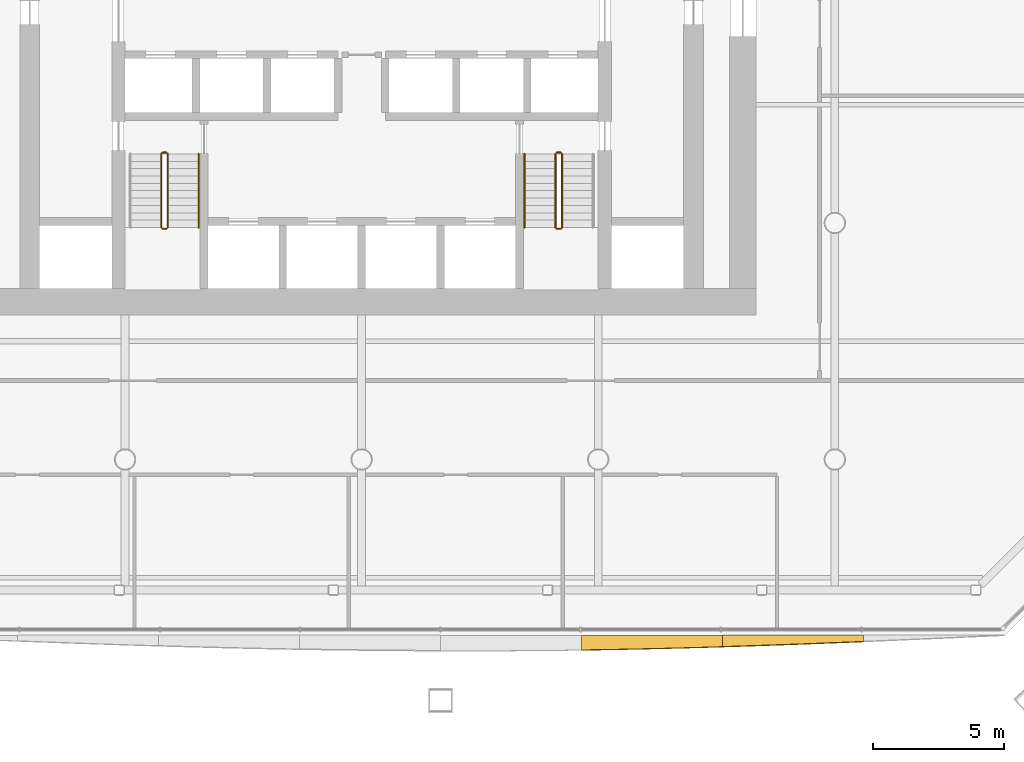
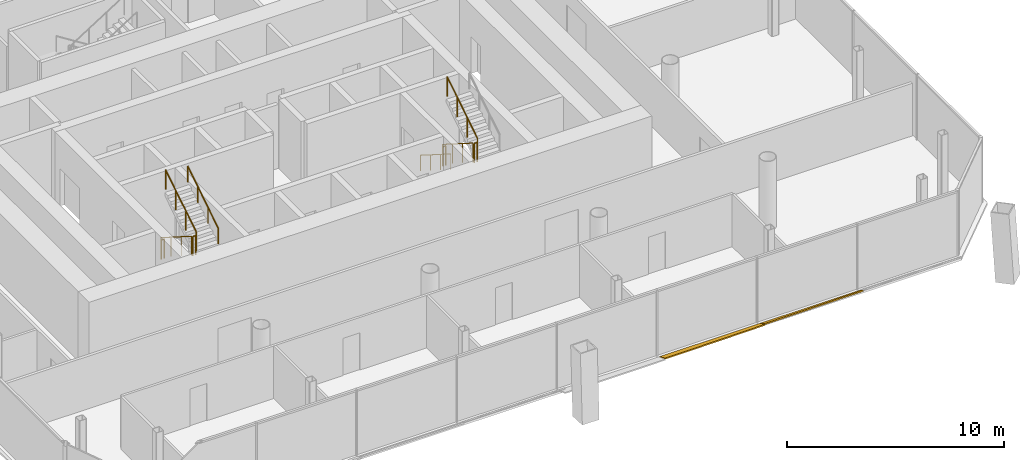
# One storey, part 16 of 19: 10 railings, 2 shading devices.
"""IFC4 building model written with IfcOpenShell, lengths in metres."""

import ifcopenshell
import ifcopenshell.guid

model = None  # the IFC model being written
_history = None  # IfcOwnerHistory: only IFC2X3 demands one
_inside = {}  # id of a spatial element -> (the spatial element, [elements in it])
_under = {}  # id of a project, library or spatial element -> (it, [spatial elements below it])
_declared = {}  # id of a project -> (the project, [libraries it declares])
_typed = {}  # id of a type object -> (the type object, [elements of that type])
_made_of = {}  # id of a material, layer set ... -> (it, [elements and type objects made of it])


def new_model(schema):
    """Start an empty IFC model of exactly this schema.

    Asked for "IFC4X3", IfcOpenShell would pick the latest addendum, in which some entities
    have other attributes; the version numbers below select the first issue.
    IFC2X3 requires an IfcOwnerHistory on every rooted entity: one is made here for all.
    """
    global model, _history
    if schema == "IFC4X3":
        model = ifcopenshell.file(schema_version=(4, 3, 0, 0))
    else:
        model = ifcopenshell.file(schema=schema)
    _inside.clear()
    _under.clear()
    _declared.clear()
    _typed.clear()
    _made_of.clear()
    _history = None
    if model.schema == "IFC2X3":
        org = make("IfcOrganization", Name="unknown")
        user = make(
            "IfcPersonAndOrganization",
            ThePerson=make("IfcPerson", FamilyName="unknown"),
            TheOrganization=org,
        )
        app = make(
            "IfcApplication",
            ApplicationDeveloper=org,
            Version="unknown",
            ApplicationFullName="unknown",
            ApplicationIdentifier="unknown",
        )
        _history = make(
            "IfcOwnerHistory",
            OwningUser=user,
            OwningApplication=app,
            ChangeAction="ADDED",
            CreationDate=0,
        )
    return model


def make(cls, **values):
    """One entity of the class cls with the attributes given. An attribute that is None is left unset."""
    return model.create_entity(
        cls, **{name: value for name, value in values.items() if value is not None}
    )


def rooted(cls, **values):
    """An entity with a GlobalId (a new one), such as an element, a storey or a relation."""
    return make(cls, GlobalId=ifcopenshell.guid.new(), OwnerHistory=_history, **values)


def si_unit(unit_type, name, prefix=None):
    """IfcSIUnit, for example si_unit("LENGTHUNIT", "METRE", prefix="MILLI")."""
    return make("IfcSIUnit", UnitType=unit_type, Prefix=prefix, Name=name)


def assignment(units):
    """IfcUnitAssignment: the units of a project."""
    return None if units is None else make("IfcUnitAssignment", Units=units)


def point(xyz):
    """IfcCartesianPoint."""
    return None if xyz is None else make("IfcCartesianPoint", Coordinates=xyz)


def direction(xyz):
    """IfcDirection."""
    return None if xyz is None else make("IfcDirection", DirectionRatios=xyz)


def frame(location, z_axis=None, x_axis=None):
    """IfcAxis2Placement3D, a coordinate frame: its origin and axes. An axis left out is left unset."""
    return make(
        "IfcAxis2Placement3D",
        Location=point(location),
        Axis=direction(z_axis),
        RefDirection=direction(x_axis),
    )


def frame_2d(location, x_axis=None):
    """IfcAxis2Placement2D, a coordinate frame in the plane: its origin and x axis."""
    return make(
        "IfcAxis2Placement2D", Location=point(location), RefDirection=direction(x_axis)
    )


def origin():
    """The frame at (0, 0, 0) with its axes left unset."""
    return frame((0.0, 0.0, 0.0))


def origin_2d():
    """The frame at (0, 0) in the plane with its x axis left unset."""
    return frame_2d((0.0, 0.0))


def place(relative_to, where):
    """IfcLocalPlacement: puts the frame where relative to a parent placement (None: the world)."""
    return make(
        "IfcLocalPlacement", PlacementRelTo=relative_to, RelativePlacement=where
    )


def context(
    kind, dimensions, precision=None, world=None, true_north=None, identifier=None
):
    """IfcGeometricRepresentationContext, for example the 3D "Model" context."""
    return make(
        "IfcGeometricRepresentationContext",
        ContextIdentifier=identifier,
        ContextType=kind,
        CoordinateSpaceDimension=dimensions,
        Precision=precision,
        WorldCoordinateSystem=world,
        TrueNorth=true_north,
    )


def subcontext(parent, identifier, kind, view, scale=None):
    """IfcGeometricRepresentationSubContext, for example "Body" below "Model"."""
    return make(
        "IfcGeometricRepresentationSubContext",
        ContextIdentifier=identifier,
        ContextType=kind,
        ParentContext=parent,
        TargetScale=scale,
        TargetView=view,
    )


def project(units=None, contexts=None):
    """IfcProject with its units and contexts."""
    return rooted(
        "IfcProject",
        Name="project",
        RepresentationContexts=contexts,
        UnitsInContext=assignment(units),
    )


def spatial(cls, under=None, at=None, **own):
    """A site, building, storey or space (cls), placed at a placement, below another one or the project."""
    s = rooted(cls, ObjectPlacement=at, **own)
    if under is not None:
        _under.setdefault(under.id(), (under, []))[1].append(s)
    return s


def polyline(points):
    """IfcPolyline through the points."""
    return make("IfcPolyline", Points=[point(p) for p in points])


def profile(cls, at=None, kind="AREA", **sizes):
    """A parametric profile (cls). Its sizes go by their IFC names, for example OverallWidth=200.0."""
    return make(cls, ProfileType=kind, Position=at, **sizes)


def circle(**sizes):
    """IfcCircleProfileDef."""
    return profile("IfcCircleProfileDef", **sizes)


def outline(outer, holes=None, kind="AREA"):
    """IfcArbitraryClosedProfileDef: a profile drawn as a closed curve; with holes, ...WithVoids."""
    if holes is None:
        return make("IfcArbitraryClosedProfileDef", ProfileType=kind, OuterCurve=outer)
    return make(
        "IfcArbitraryProfileDefWithVoids",
        ProfileType=kind,
        OuterCurve=outer,
        InnerCurves=holes,
    )


def extrude(swept, where, along, depth):
    """IfcExtrudedAreaSolid: the profile swept, set in the frame where, extruded along a direction by depth."""
    return make(
        "IfcExtrudedAreaSolid",
        SweptArea=swept,
        Position=where,
        ExtrudedDirection=direction(along),
        Depth=depth,
    )


def shape(context_of_items, identifier, shape_type, items):
    """IfcShapeRepresentation: the items that make up one representation, for example the "Body"."""
    return make(
        "IfcShapeRepresentation",
        ContextOfItems=context_of_items,
        RepresentationIdentifier=identifier,
        RepresentationType=shape_type,
        Items=items,
    )


def material(Name=None, Category=None):
    """IfcMaterial."""
    return make("IfcMaterial", Name=Name, Category=Category)


def layer(
    of_material, thickness, ventilated=None, Name=None, Category=None, Priority=None
):
    """IfcMaterialLayer: one layer of a wall or slab, of a material (None: an air gap)."""
    return make(
        "IfcMaterialLayer",
        Material=of_material,
        LayerThickness=thickness,
        IsVentilated=ventilated,
        Name=Name,
        Category=Category,
        Priority=Priority,
    )


def layer_set(layers, Name=None):
    """IfcMaterialLayerSet."""
    return make("IfcMaterialLayerSet", MaterialLayers=layers, LayerSetName=Name)


def made_of(thing, what):
    """Note that an element or type object is made of a material, layer set ...; save() writes the relation."""
    if what is not None:
        _made_of.setdefault(what.id(), (what, []))[1].append(thing)
    return thing


def type_object(cls, material=None, **own):
    """A type object (cls), such as IfcWallType, which elements share."""
    return made_of(rooted(cls, **own), material)


def element(
    cls,
    number,
    at=None,
    inside=None,
    cuts=None,
    type_object=None,
    material=None,
    context=None,
    identifier="Body",
    shape_type=None,
    held_by="IfcProductDefinitionShape",
    body=None,
    shapes=None,
    **own,
):
    """One element of the class cls, such as IfcWall. Its Tag is "e" and its number.

    at: its placement. inside: the storey or other place that contains it. cuts: it is an
    opening in that element (IfcRelVoidsElement). A single representation is given by context,
    identifier, shape_type and body (its items); several are given by shapes. held_by: the class
    of the entity that holds the representations. save() writes the other relations.
    """
    e = rooted(cls, Tag="e%d" % number, ObjectPlacement=at, **own)
    if body is not None:
        shapes = [shape(context, identifier, shape_type, body)]
    if shapes is not None:
        e.Representation = make(held_by, Representations=shapes)
    if inside is not None:
        _inside.setdefault(inside.id(), (inside, []))[1].append(e)
    if cuts is not None:
        rooted(
            "IfcRelVoidsElement", RelatingBuildingElement=cuts, RelatedOpeningElement=e
        )
    if type_object is not None:
        _typed.setdefault(type_object.id(), (type_object, []))[1].append(e)
    return made_of(e, material)


def aggregate(whole, parts):
    """IfcRelAggregates: a whole, such as a stair, and the parts it consists of."""
    return rooted("IfcRelAggregates", RelatingObject=whole, RelatedObjects=parts)


def save(model, path):
    """Write the relations noted so far, then the file.

    IfcRelAggregates (storeys below a building ...), IfcRelContainedInSpatialStructure (elements
    in a storey), IfcRelDefinesByType, IfcRelAssociatesMaterial and IfcRelDeclares: one each for
    every whole, place, type object, material and project.
    """
    for whole, parts in _under.values():
        aggregate(whole, parts)
    for where, things in _inside.values():
        rooted(
            "IfcRelContainedInSpatialStructure",
            RelatedElements=things,
            RelatingStructure=where,
        )
    for kind, things in _typed.values():
        rooted("IfcRelDefinesByType", RelatedObjects=things, RelatingType=kind)
    for what, things in _made_of.values():
        rooted("IfcRelAssociatesMaterial", RelatedObjects=things, RelatingMaterial=what)
    for by, libraries in _declared.values():
        rooted("IfcRelDeclares", RelatingContext=by, RelatedDefinitions=libraries)
    model.write(path)


model = new_model("IFC4")

# Units and contexts
model_context = context("Model", 3, precision=1e-05, world=origin(), true_north=direction((0.0, 1.0)))
body_context = subcontext(model_context, "Body", "Model", "MODEL_VIEW")
ifc_project = project(units=[si_unit("LENGTHUNIT", "METRE"), si_unit("AREAUNIT", "SQUARE_METRE"), si_unit("VOLUMEUNIT", "CUBIC_METRE"), si_unit("PLANEANGLEUNIT", "RADIAN"), si_unit("MASSUNIT", "GRAM", prefix="KILO")], contexts=[model_context])

# Site, building, storey
site_placement = place(None, origin())
site = spatial("IfcSite", under=ifc_project, at=site_placement, CompositionType="ELEMENT")
building_placement = place(site_placement, origin())
building = spatial("IfcBuilding", under=site, at=building_placement, Name="Tskaro Facet Tower", CompositionType="ELEMENT")
storey_placement = place(building_placement, frame((0.0, 0.0, 93.300048828125)))
storey = spatial("IfcBuildingStorey", under=building, at=storey_placement, Name="L22", CompositionType="ELEMENT", Elevation=93.300048828125)

# Shading devices
ifc_material_1 = material(Name="Bronze anodised aluminium 6063-T6", Category="aluminium")
ifc_layer = layer(ifc_material_1, 0.06005859375, Name="Bronze anodised aluminium 6063-T6")
ifc_layer_set = layer_set([ifc_layer], Name="Bronze anodised aluminium 6063-T6")
shading_device_type = type_object("IfcShadingDeviceType", Name="Bronze sun blade (FN1)", PredefinedType="USERDEFINED", material=ifc_layer_set)
shading_device_1_placement = place(storey_placement, frame((8.363037109375, -24.687744140625, 0.054443359375), z_axis=(1.1549006e-05, 0.422550639634, 0.906339316598), x_axis=(0.999999999933, -4.88004e-06, -1.0467318e-05)))
element("IfcShadingDevice", 1, at=shading_device_1_placement, inside=storey, type_object=shading_device_type, Name="Fin blade south 6", ObjectType="FIN", PredefinedType="USERDEFINED", context=body_context, shape_type="SweptSolid", body=[
    extrude(outline(polyline([(0.0, 0.0), (5.36303710901734, 0.0), (5.363037109883437, -0.475672463296135), (4.6926269530739315, -0.49751582485778173), (4.022216796609759, -0.5182677658759816), (3.351806641854997, -0.5376038503262421), (2.681396485062736, -0.5554059657385937), (2.01098632742439, -0.5718953863602672), (1.3408203109290249, -0.5867476761667703), (0.6704101555180886, -0.6001841094053342), (-5.662668803923526e-10, -0.6117621375814966), (0.0, 0.0)])), origin(), (0.0, 0.0, -1.0), 0.06005859375),
])
shading_device_2_placement = place(storey_placement, frame((13.72607421875, -24.68310546875, 0.052001953125), z_axis=(-1.2308011e-05, 0.499938029124, 0.866061179643), x_axis=(0.999999999924, 6.153243e-06, 1.0659491e-05)))
element("IfcShadingDevice", 2, at=shading_device_2_placement, inside=storey, type_object=shading_device_type, Name="Fin blade south 7", ObjectType="FIN", PredefinedType="USERDEFINED", context=body_context, shape_type="SweptSolid", body=[
    extrude(outline(polyline([(0.0, 0.0), (5.3630371089687845, 0.0), (5.363037109238305, -0.2714800928401123), (4.69262695244105, -0.3033064808290186), (4.022216796447991, -0.33404299558131434), (3.351806639756873, -0.3639010778147017), (2.6813964849701106, -0.3930027827120816), (2.0109863283851297, -0.42089255918995006), (1.3405761726043455, -0.44769246243120786), (0.6704101556503248, -0.47328043725295427), (-1.1244803997319455e-09, -0.49777853883809003), (0.0, 0.0)])), origin(), (0.0, 0.0, -1.0), 0.06005859375),
])

# Railings
ifc_material_2 = material(Name="Stainless steel", Category="steel")
railing_type_1 = type_object("IfcRailingType", Name="RL-GUARD-1100", PredefinedType="GUARDRAIL", material=ifc_material_2)
railing_1_placement = place(storey_placement, frame((-7.625, -6.375, 0.17724609375)))
element("IfcRailing", 3, at=railing_1_placement, inside=storey, type_object=railing_type_1, Name="L22 ST-1 stair guard 1", PredefinedType="GUARDRAIL", context=body_context, shape_type="SweptSolid", body=[
    extrude(circle(Radius=0.02392578125, at=origin_2d()), frame((0.0, 0.0, 1.076171875), z_axis=(0.0, -0.844908973607, 0.534910110503), x_axis=(1.0, 0.0, 0.0)), (0.0, 0.0, 1.0), 3.31396484375),
    extrude(circle(Radius=0.02099609375, at=origin_2d()), origin(), (0.0, 0.0, 1.0), 1.052001953125),
    extrude(circle(Radius=0.02099609375, at=origin_2d()), frame((0.0, -0.933349609375, 0.5908203125)), (0.0, 0.0, 1.0), 1.052001953125),
    extrude(circle(Radius=0.02099609375, at=origin_2d()), frame((0.0, -1.86669921875, 1.181884765625)), (0.0, 0.0, 1.0), 1.052001953125),
    extrude(circle(Radius=0.02099609375, at=origin_2d()), frame((0.0, -2.800048828125, 1.772705078125)), (0.0, 0.0, 1.0), 1.052001953125),
])
railing_2_placement = place(storey_placement, frame((-7.574951171875, -9.22509765625, 1.949951171875)))
element("IfcRailing", 4, at=railing_2_placement, inside=storey, type_object=railing_type_1, Name="L22 ST-1 stair guard 2", PredefinedType="GUARDRAIL", context=body_context, shape_type="SweptSolid", body=[
    extrude(circle(Radius=0.02392578125, at=origin_2d()), frame((0.0, 0.0, 1.076171875), z_axis=(1.0, 0.0, 0.0), x_axis=(0.0, 1.0, 0.0)), (0.0, 0.0, 1.0), 0.14990234375),
    extrude(circle(Radius=0.02099609375, at=origin_2d()), origin(), (0.0, 0.0, 1.0), 1.052001953125),
    extrude(circle(Radius=0.02099609375, at=origin_2d()), frame((0.14990234375, 0.0, 0.0)), (0.0, 0.0, 1.0), 1.052001953125),
])
railing_3_placement = place(storey_placement, frame((-7.375, -9.175048828125, 2.127197265625)))
element("IfcRailing", 5, at=railing_3_placement, inside=storey, type_object=railing_type_1, Name="L22 ST-1 stair guard 3", PredefinedType="GUARDRAIL", context=body_context, shape_type="SweptSolid", body=[
    extrude(circle(Radius=0.02392578125, at=origin_2d()), frame((0.0, 0.0, 1.076171875), z_axis=(0.0, 0.844908973607, 0.534910110503), x_axis=(-1.0, 0.0, 0.0)), (0.0, 0.0, 1.0), 3.31396484375),
    extrude(circle(Radius=0.02099609375, at=origin_2d()), origin(), (0.0, 0.0, 1.0), 1.052001953125),
    extrude(circle(Radius=0.02099609375, at=origin_2d()), frame((0.0, 0.933349609375, 0.5908203125)), (0.0, 0.0, 1.0), 1.052001953125),
    extrude(circle(Radius=0.02099609375, at=origin_2d()), frame((0.0, 1.86669921875, 1.181884765625)), (0.0, 0.0, 1.0), 1.052001953125),
    extrude(circle(Radius=0.02099609375, at=origin_2d()), frame((0.0, 2.800048828125, 1.772705078125)), (0.0, 0.0, 1.0), 1.052001953125),
])
railing_4_placement = place(storey_placement, frame((-7.574951171875, -6.324951171875, 0.0)))
element("IfcRailing", 6, at=railing_4_placement, inside=storey, type_object=railing_type_1, Name="L22 ST-1 stair guard 4", PredefinedType="GUARDRAIL", context=body_context, shape_type="SweptSolid", body=[
    extrude(circle(Radius=0.02392578125, at=origin_2d()), frame((0.0, 0.0, 1.076171875), z_axis=(1.0, 0.0, 0.0), x_axis=(0.0, 1.0, 0.0)), (0.0, 0.0, 1.0), 0.14990234375),
    extrude(circle(Radius=0.02099609375, at=origin_2d()), origin(), (0.0, 0.0, 1.0), 1.052001953125),
    extrude(circle(Radius=0.02099609375, at=origin_2d()), frame((0.14990234375, 0.0, 0.0)), (0.0, 0.0, 1.0), 1.052001953125),
])
railing_5_placement = place(storey_placement, frame((7.375, -6.375, 0.17724609375)))
element("IfcRailing", 7, at=railing_5_placement, inside=storey, type_object=railing_type_1, Name="L22 ST-2 stair guard 1", PredefinedType="GUARDRAIL", context=body_context, shape_type="SweptSolid", body=[
    extrude(circle(Radius=0.02392578125, at=origin_2d()), frame((0.0, 0.0, 1.076171875), z_axis=(0.0, -0.844908973607, 0.534910110503), x_axis=(1.0, 0.0, 0.0)), (0.0, 0.0, 1.0), 3.31396484375),
    extrude(circle(Radius=0.02099609375, at=origin_2d()), origin(), (0.0, 0.0, 1.0), 1.052001953125),
    extrude(circle(Radius=0.02099609375, at=origin_2d()), frame((0.0, -0.933349609375, 0.5908203125)), (0.0, 0.0, 1.0), 1.052001953125),
    extrude(circle(Radius=0.02099609375, at=origin_2d()), frame((0.0, -1.86669921875, 1.181884765625)), (0.0, 0.0, 1.0), 1.052001953125),
    extrude(circle(Radius=0.02099609375, at=origin_2d()), frame((0.0, -2.800048828125, 1.772705078125)), (0.0, 0.0, 1.0), 1.052001953125),
])
railing_6_placement = place(storey_placement, frame((7.425048828125, -9.22509765625, 1.949951171875)))
element("IfcRailing", 8, at=railing_6_placement, inside=storey, type_object=railing_type_1, Name="L22 ST-2 stair guard 2", PredefinedType="GUARDRAIL", context=body_context, shape_type="SweptSolid", body=[
    extrude(circle(Radius=0.02392578125, at=origin_2d()), frame((0.0, 0.0, 1.076171875), z_axis=(1.0, 0.0, 0.0), x_axis=(0.0, 1.0, 0.0)), (0.0, 0.0, 1.0), 0.14990234375),
    extrude(circle(Radius=0.02099609375, at=origin_2d()), origin(), (0.0, 0.0, 1.0), 1.052001953125),
    extrude(circle(Radius=0.02099609375, at=origin_2d()), frame((0.14990234375, 0.0, 0.0)), (0.0, 0.0, 1.0), 1.052001953125),
])
railing_7_placement = place(storey_placement, frame((7.625, -9.175048828125, 2.127197265625)))
element("IfcRailing", 9, at=railing_7_placement, inside=storey, type_object=railing_type_1, Name="L22 ST-2 stair guard 3", PredefinedType="GUARDRAIL", context=body_context, shape_type="SweptSolid", body=[
    extrude(circle(Radius=0.02392578125, at=origin_2d()), frame((0.0, 0.0, 1.076171875), z_axis=(0.0, 0.844908973607, 0.534910110503), x_axis=(-1.0, 0.0, 0.0)), (0.0, 0.0, 1.0), 3.31396484375),
    extrude(circle(Radius=0.02099609375, at=origin_2d()), origin(), (0.0, 0.0, 1.0), 1.052001953125),
    extrude(circle(Radius=0.02099609375, at=origin_2d()), frame((0.0, 0.933349609375, 0.5908203125)), (0.0, 0.0, 1.0), 1.052001953125),
    extrude(circle(Radius=0.02099609375, at=origin_2d()), frame((0.0, 1.86669921875, 1.181884765625)), (0.0, 0.0, 1.0), 1.052001953125),
    extrude(circle(Radius=0.02099609375, at=origin_2d()), frame((0.0, 2.800048828125, 1.772705078125)), (0.0, 0.0, 1.0), 1.052001953125),
])
railing_8_placement = place(storey_placement, frame((7.425048828125, -6.324951171875, 0.0)))
element("IfcRailing", 10, at=railing_8_placement, inside=storey, type_object=railing_type_1, Name="L22 ST-2 stair guard 4", PredefinedType="GUARDRAIL", context=body_context, shape_type="SweptSolid", body=[
    extrude(circle(Radius=0.02392578125, at=origin_2d()), frame((0.0, 0.0, 1.076171875), z_axis=(1.0, 0.0, 0.0), x_axis=(0.0, 1.0, 0.0)), (0.0, 0.0, 1.0), 0.14990234375),
    extrude(circle(Radius=0.02099609375, at=origin_2d()), origin(), (0.0, 0.0, 1.0), 1.052001953125),
    extrude(circle(Radius=0.02099609375, at=origin_2d()), frame((0.14990234375, 0.0, 0.0)), (0.0, 0.0, 1.0), 1.052001953125),
])
railing_type_2 = type_object("IfcRailingType", Name="RL-HANDRAIL-900", PredefinedType="HANDRAIL", material=ifc_material_2)
railing_9_placement = place(storey_placement, frame((-6.199951171875, -9.175048828125, 2.127197265625)))
element("IfcRailing", 11, at=railing_9_placement, inside=storey, type_object=railing_type_2, Name="L22 ST-1 stair handrail 2", PredefinedType="HANDRAIL", context=body_context, shape_type="SweptSolid", body=[
    extrude(circle(Radius=0.02392578125, at=origin_2d()), frame((0.0, 0.0, 0.8759765625), z_axis=(0.0, 0.844908973607, 0.534910110503), x_axis=(-1.0, 0.0, 0.0)), (0.0, 0.0, 1.0), 3.31396484375),
    extrude(circle(Radius=0.02099609375, at=origin_2d()), origin(), (0.0, 0.0, 1.0), 0.851806640625),
    extrude(circle(Radius=0.02099609375, at=origin_2d()), frame((0.0, 0.933349609375, 0.5908203125)), (0.0, 0.0, 1.0), 0.851806640625),
    extrude(circle(Radius=0.02099609375, at=origin_2d()), frame((0.0, 1.86669921875, 1.181884765625)), (0.0, 0.0, 1.0), 0.851806640625),
    extrude(circle(Radius=0.02099609375, at=origin_2d()), frame((0.0, 2.800048828125, 1.772705078125)), (0.0, 0.0, 1.0), 0.851806640625),
])
railing_10_placement = place(storey_placement, frame((6.199951171875, -6.375, 0.17724609375)))
element("IfcRailing", 12, at=railing_10_placement, inside=storey, type_object=railing_type_2, Name="L22 ST-2 stair handrail 1", PredefinedType="HANDRAIL", context=body_context, shape_type="SweptSolid", body=[
    extrude(circle(Radius=0.02392578125, at=origin_2d()), frame((0.0, 0.0, 0.8759765625), z_axis=(0.0, -0.844908973607, 0.534910110503), x_axis=(1.0, 0.0, 0.0)), (0.0, 0.0, 1.0), 3.31396484375),
    extrude(circle(Radius=0.02099609375, at=origin_2d()), origin(), (0.0, 0.0, 1.0), 0.851806640625),
    extrude(circle(Radius=0.02099609375, at=origin_2d()), frame((0.0, -0.933349609375, 0.5908203125)), (0.0, 0.0, 1.0), 0.851806640625),
    extrude(circle(Radius=0.02099609375, at=origin_2d()), frame((0.0, -1.86669921875, 1.181884765625)), (0.0, 0.0, 1.0), 0.851806640625),
    extrude(circle(Radius=0.02099609375, at=origin_2d()), frame((0.0, -2.800048828125, 1.772705078125)), (0.0, 0.0, 1.0), 0.851806640625),
])

save(model, "model.ifc")
